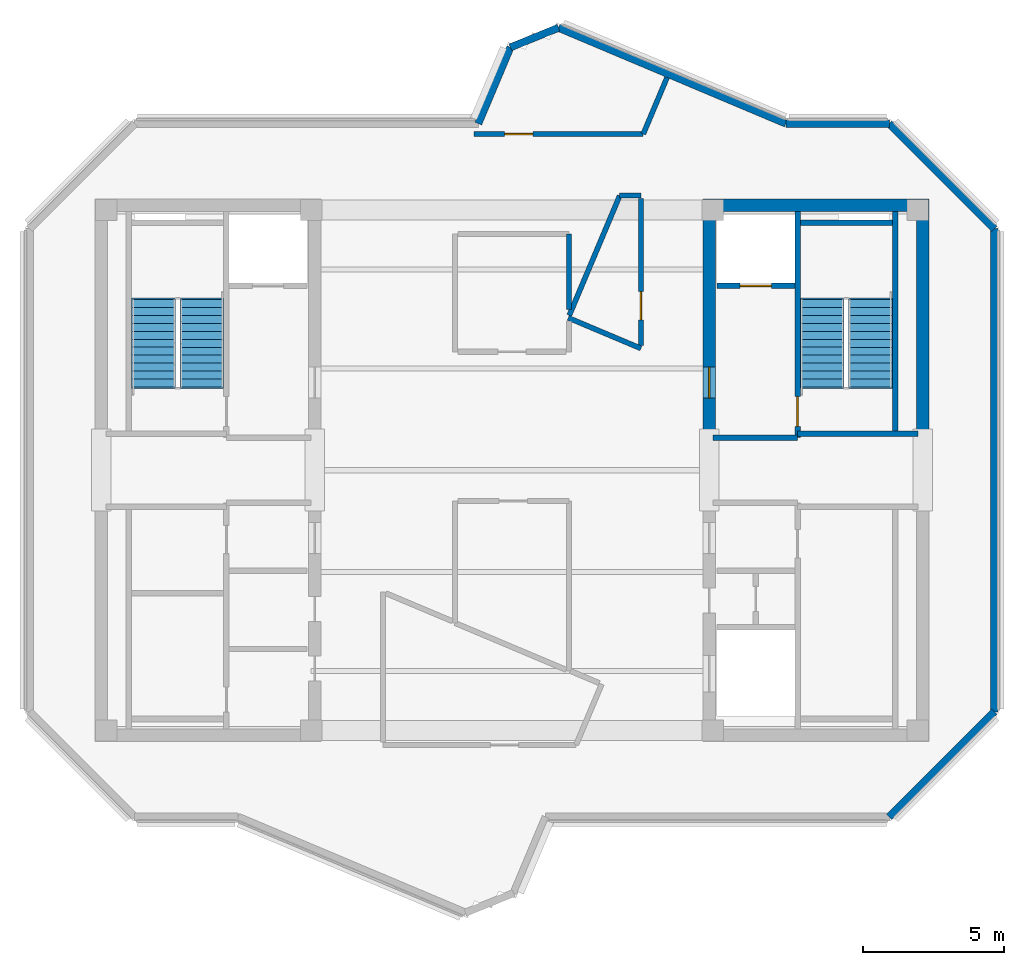
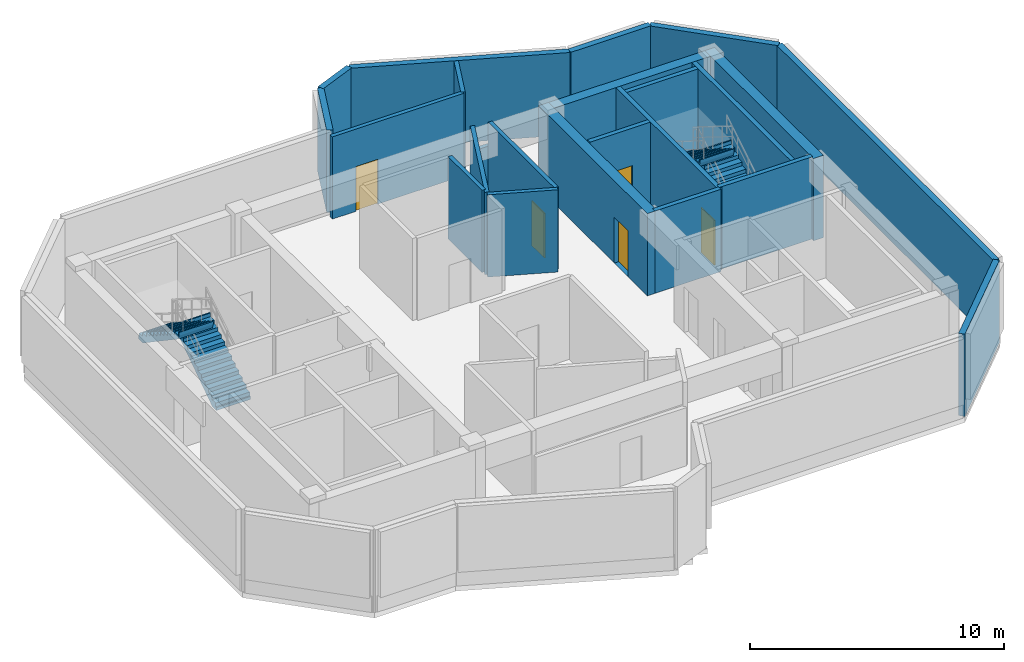
# One storey, part 3 of 5: 23 walls, 5 doors, 4 stair flights, 5 openings, 2 elements without a shape of their own.
"""IFC4 building model written with IfcOpenShell, lengths in metres."""

from ifc_helpers import new_model, si_unit, direction, frame, frame_2d, origin, place, context, subcontext, project, spatial, polyline, rectangle, outline, extrude, source, transform, mapped, material, layer, layer_set, type_object, element, fill, aggregate, save


model = new_model("IFC4")

# Units and contexts
model_context = context("Model", 3, precision=1e-05, world=origin(), true_north=direction((0.0, 1.0)))
body_context = subcontext(model_context, "Body", "Model", "MODEL_VIEW")
ifc_project = project(units=[si_unit("LENGTHUNIT", "METRE"), si_unit("AREAUNIT", "SQUARE_METRE"), si_unit("VOLUMEUNIT", "CUBIC_METRE"), si_unit("PLANEANGLEUNIT", "RADIAN"), si_unit("MASSUNIT", "GRAM", prefix="KILO")], contexts=[model_context])

# Site, building, storey
site_placement = place(None, origin())
site = spatial("IfcSite", under=ifc_project, at=site_placement, CompositionType="ELEMENT")
building_placement = place(site_placement, origin())
building = spatial("IfcBuilding", under=site, at=building_placement, Name="Zahravan Cultural Tower", CompositionType="ELEMENT")
storey_placement = place(building_placement, frame((0.0, 0.0, 379.64990234375)))
storey = spatial("IfcBuildingStorey", under=building, at=storey_placement, Name="L92", CompositionType="ELEMENT", Elevation=379.64990234375)

# Wall, opening, door
ifc_material_1 = material(Name="Concrete C50/60", Category="concrete")
ifc_layer_1 = layer(ifc_material_1, 0.449951171875)
ifc_layer_set_1 = layer_set([ifc_layer_1], Name="Concrete C50/60")
wall_type_1 = type_object("IfcWallType", Name="CW-SHEAR-450-C50", PredefinedType="SHEAR", material=ifc_layer_set_1)
wall_1_placement = place(storey_placement, frame((42.97509765625, 28.050048828125, 0.0), z_axis=(0.0, 0.0, 1.0), x_axis=(0.0, 1.0, 0.0)))
wall_1 = element("IfcWall", 1, at=wall_1_placement, inside=storey, type_object=wall_type_1, Name="L92 Core Shear Wall CW-E-WN-L92", PredefinedType="SHEAR", context=body_context, shape_type="SweptSolid", body=[
    extrude(rectangle(XDim=8.550048828125, YDim=0.449951171875, at=frame_2d((4.27490234375, 0.0))), origin(), (0.0, 0.0, 1.0), 3.9501953125),
])
opening_1_placement = place(wall_1_placement, frame((1.5, 0.0, 0.0)))
opening_1 = element("IfcOpeningElement", 2, at=opening_1_placement, cuts=wall_1, Name="Opening D-L92-07", PredefinedType="OPENING", context=body_context, shape_type="SweptSolid", body=[
    extrude(rectangle(XDim=1.10009765625, YDim=2.199951171875, at=frame_2d((0.550048828125, 1.10009765625))), frame((0.0, 0.23486328125, 0.0), z_axis=(0.0, -1.0, 0.0), x_axis=(1.0, 0.0, 0.0)), (0.0, 0.0, 1.0), 0.469970703125),
])
ifc_material_2 = material(Name="Steel ASTM A572 Grade 50", Category="steel")
door_type_1 = type_object("IfcDoorType", Name="DR-LOBBY-1100", OperationType="NOTDEFINED", PredefinedType="DOOR", material=ifc_material_2)
shared_shape_1 = source(origin(), body_context, "Body", "SweptSolid", [
    extrude(rectangle(XDim=1.10009765625, YDim=2.199951171875, at=frame_2d((0.550048828125, 1.10009765625))), frame((0.0, 0.02490234375, 0.0), z_axis=(0.0, -1.0, 0.0), x_axis=(1.0, 0.0, 0.0)), (0.0, 0.0, 1.0), 0.050048828125),
])
door_1_placement = place(opening_1_placement, origin())
door_1 = element("IfcDoor", 3, at=door_1_placement, inside=storey, type_object=door_type_1, Name="L92 Door D-L92-07", OperationType="SINGLE_SWING_LEFT", OverallHeight=2.199951171875, OverallWidth=1.10009765625, PredefinedType="DOOR", context=body_context, shape_type="MappedRepresentation", body=[
    mapped(shared_shape_1, transform((0.0, 0.0, 0.0), x_axis=(1.0, 0.0, 0.0), y_axis=(0.0, 1.0, 0.0), z_axis=(0.0, 0.0, 1.0), scale=1.0)),
])
fill(opening_1, door_1)

ifc_material_3 = material(Name="Gypsum plasterboard partition")
ifc_layer_2 = layer(ifc_material_3, 0.179931640625)
ifc_layer_set_2 = layer_set([ifc_layer_2], Name="Gypsum plasterboard partition")
wall_type_2 = type_object("IfcWallType", Name="W-COMP-180", PredefinedType="PARTITIONING", material=ifc_layer_set_2)
wall_2_placement = place(storey_placement, frame((40.56005859375, 36.614990234375, 0.0), z_axis=(0.0, 0.0, 1.0), x_axis=(0.0, -1.0, 0.0)))
wall_2 = element("IfcWall", 4, at=wall_2_placement, inside=storey, type_object=wall_type_2, Name="L92 Interior Wall 032", PredefinedType="PARTITIONING", context=body_context, shape_type="SweptSolid", body=[
    extrude(rectangle(XDim=5.20458984375, YDim=0.179931640625, at=frame_2d((2.602294921875, 0.0))), origin(), (0.0, 0.0, 1.0), 3.9501953125),
])
opening_2_placement = place(wall_2_placement, frame((3.293701171875, 0.0, 0.0)))
opening_2 = element("IfcOpeningElement", 5, at=opening_2_placement, cuts=wall_2, Name="Opening D-L92-15", PredefinedType="OPENING", context=body_context, shape_type="SweptSolid", body=[
    extrude(rectangle(XDim=1.0, YDim=2.14990234375, at=frame_2d((0.5, 1.074951171875))), frame((0.0, 0.099853515625, 0.0), z_axis=(0.0, -1.0, 0.0), x_axis=(1.0, 0.0, 0.0)), (0.0, 0.0, 1.0), 0.199951171875),
])
door_type_2 = type_object("IfcDoorType", Name="DR-COMP-1000", OperationType="NOTDEFINED", PredefinedType="DOOR", material=ifc_material_2)
shared_shape_2 = source(origin(), body_context, "Body", "SweptSolid", [
    extrude(rectangle(XDim=1.0, YDim=2.14990234375, at=frame_2d((0.5, 1.074951171875))), frame((0.0, 0.02490234375, 0.0), z_axis=(0.0, -1.0, 0.0), x_axis=(1.0, 0.0, 0.0)), (0.0, 0.0, 1.0), 0.050048828125),
])
door_2_placement = place(opening_2_placement, origin())
door_2 = element("IfcDoor", 6, at=door_2_placement, inside=storey, type_object=door_type_2, Name="L92 Door D-L92-15", OperationType="SINGLE_SWING_LEFT", OverallHeight=2.14990234375, OverallWidth=1.0, PredefinedType="DOOR", context=body_context, shape_type="MappedRepresentation", body=[
    mapped(shared_shape_2, transform((0.0, 0.0, 0.0), x_axis=(1.0, 0.0, 0.0), y_axis=(0.0, 1.0, 0.0), z_axis=(0.0, 0.0, 1.0), scale=1.0)),
])
fill(opening_2, door_2)

wall_3_placement = place(storey_placement, frame((40.641357421875, 38.889892578125, 0.0), z_axis=(0.0, 0.0, 1.0), x_axis=(-1.0, 0.0, 0.0)))
wall_3 = element("IfcWall", 7, at=wall_3_placement, inside=storey, type_object=wall_type_2, Name="L92 Interior Wall 039", PredefinedType="PARTITIONING", context=body_context, shape_type="SweptSolid", body=[
    extrude(rectangle(XDim=5.989990234375, YDim=0.179931640625, at=frame_2d((2.9951171875, 0.0))), origin(), (0.0, 0.0, 1.0), 3.9501953125),
])
opening_3_placement = place(wall_3_placement, frame((3.90625, 0.0, 0.0)))
opening_3 = element("IfcOpeningElement", 8, at=opening_3_placement, cuts=wall_3, Name="Opening D-L92-16", PredefinedType="OPENING", context=body_context, shape_type="SweptSolid", body=[
    extrude(rectangle(XDim=1.0, YDim=2.14990234375, at=frame_2d((0.5, 1.074951171875))), frame((0.0, 0.099853515625, 0.0), z_axis=(0.0, -1.0, 0.0), x_axis=(1.0, 0.0, 0.0)), (0.0, 0.0, 1.0), 0.199951171875),
])
door_3_placement = place(opening_3_placement, origin())
door_3 = element("IfcDoor", 9, at=door_3_placement, inside=storey, type_object=door_type_2, Name="L92 Door D-L92-16", OperationType="SINGLE_SWING_RIGHT", OverallHeight=2.14990234375, OverallWidth=1.0, PredefinedType="DOOR", context=body_context, shape_type="MappedRepresentation", body=[
    mapped(shared_shape_2, transform((0.0, 0.0, 0.0), x_axis=(1.0, 0.0, 0.0), y_axis=(0.0, 1.0, 0.0), z_axis=(0.0, 0.0, 1.0), scale=1.0)),
])
fill(opening_3, door_3)

ifc_material_4 = material(Name="Concrete C45/55", Category="concrete")
ifc_layer_3 = layer(ifc_material_4, 0.199951171875)
ifc_layer_set_3 = layer_set([ifc_layer_3], Name="Concrete C45/55")
wall_type_3 = type_object("IfcWallType", Name="W-SHAFT-200", PredefinedType="SOLIDWALL", material=ifc_layer_set_3)
wall_4_placement = place(storey_placement, frame((46.10009765625, 28.14990234375, 0.0), z_axis=(0.0, 0.0, 1.0), x_axis=(0.0, 1.0, 0.0)))
wall_4 = element("IfcWall", 10, at=wall_4_placement, inside=storey, type_object=wall_type_3, Name="L92 Interior Wall 008", PredefinedType="SOLIDWALL", context=body_context, shape_type="SweptSolid", body=[
    extrude(rectangle(XDim=8.0, YDim=0.199951171875, at=frame_2d((4.0, 0.0))), origin(), (0.0, 0.0, 1.0), 3.9501953125),
])
opening_4_placement = place(wall_4_placement, frame((0.39990234375, 0.0, 0.0)))
opening_4 = element("IfcOpeningElement", 11, at=opening_4_placement, cuts=wall_4, Name="Opening D-L92-02", PredefinedType="OPENING", context=body_context, shape_type="SweptSolid", body=[
    extrude(rectangle(XDim=1.050048828125, YDim=2.14990234375, at=frame_2d((0.52490234375, 1.074951171875))), frame((0.0, 0.10986328125, 0.0), z_axis=(0.0, -1.0, 0.0), x_axis=(1.0, 0.0, 0.0)), (0.0, 0.0, 1.0), 0.219970703125),
])
door_type_3 = type_object("IfcDoorType", Name="DR-STAIR-1050", OperationType="NOTDEFINED", PredefinedType="DOOR", material=ifc_material_2)
shared_shape_3 = source(origin(), body_context, "Body", "SweptSolid", [
    extrude(rectangle(XDim=1.050048828125, YDim=2.14990234375, at=frame_2d((0.52490234375, 1.074951171875))), frame((0.0, 0.02490234375, 0.0), z_axis=(0.0, -1.0, 0.0), x_axis=(1.0, 0.0, 0.0)), (0.0, 0.0, 1.0), 0.050048828125),
])
door_4_placement = place(opening_4_placement, origin())
door_4 = element("IfcDoor", 12, at=door_4_placement, inside=storey, type_object=door_type_3, Name="L92 Door D-L92-02", OperationType="SINGLE_SWING_RIGHT", OverallHeight=2.14990234375, OverallWidth=1.050048828125, PredefinedType="DOOR", context=body_context, shape_type="MappedRepresentation", body=[
    mapped(shared_shape_3, transform((0.0, 0.0, 0.0), x_axis=(1.0, 0.0, 0.0), y_axis=(0.0, 1.0, 0.0), z_axis=(0.0, 0.0, 1.0), scale=1.0)),
])
fill(opening_4, door_4)

wall_5_placement = place(storey_placement, frame((43.25, 33.52001953125, 0.0), z_axis=(0.0, 0.0, 1.0), x_axis=(1.0, 0.0, 0.0)))
wall_5 = element("IfcWall", 13, at=wall_5_placement, inside=storey, type_object=wall_type_3, Name="L92 Interior Wall 023", PredefinedType="SOLIDWALL", context=body_context, shape_type="SweptSolid", body=[
    extrude(rectangle(XDim=2.75, YDim=0.199951171875, at=frame_2d((1.375, 0.0))), origin(), (0.0, 0.0, 1.0), 3.9501953125),
])
opening_5_placement = place(wall_5_placement, frame((0.820068359375, 0.0, 0.0)))
opening_5 = element("IfcOpeningElement", 14, at=opening_5_placement, cuts=wall_5, Name="Opening LD-L92-02", PredefinedType="OPENING", context=body_context, shape_type="SweptSolid", body=[
    extrude(rectangle(XDim=1.10009765625, YDim=2.14990234375, at=frame_2d((0.550048828125, 1.074951171875))), frame((0.0, 0.10986328125, 0.0), z_axis=(0.0, -1.0, 0.0), x_axis=(1.0, 0.0, 0.0)), (0.0, 0.0, 1.0), 0.219970703125),
])
door_type_4 = type_object("IfcDoorType", Name="DR-LIFT-1100", OperationType="DOUBLE_DOOR_SLIDING", PredefinedType="DOOR", material=ifc_material_2)
shared_shape_4 = source(origin(), body_context, "Body", "SweptSolid", [
    extrude(rectangle(XDim=1.10009765625, YDim=2.14990234375, at=frame_2d((0.550048828125, 1.074951171875))), frame((0.0, 0.02490234375, 0.0), z_axis=(0.0, -1.0, 0.0), x_axis=(1.0, 0.0, 0.0)), (0.0, 0.0, 1.0), 0.050048828125),
])
door_5_placement = place(opening_5_placement, origin())
door_5 = element("IfcDoor", 15, at=door_5_placement, inside=storey, type_object=door_type_4, Name="L92 Door LD-L92-02", OperationType="DOUBLE_DOOR_SLIDING", OverallHeight=2.14990234375, OverallWidth=1.10009765625, PredefinedType="DOOR", context=body_context, shape_type="MappedRepresentation", body=[
    mapped(shared_shape_4, transform((0.0, 0.0, 0.0), x_axis=(1.0, 0.0, 0.0), y_axis=(0.0, 1.0, 0.0), z_axis=(0.0, 0.0, 1.0), scale=1.0)),
])
fill(opening_5, door_5)

# Walls
shared_shape_5 = source(origin(), body_context, "Body", "SweptSolid", [
    extrude(rectangle(XDim=8.550048828125, YDim=0.449951171875, at=frame_2d((4.27490234375, 0.0))), origin(), (0.0, 0.0, 1.0), 3.9501953125),
])
wall_6_placement = place(storey_placement, frame((50.52490234375, 28.050048828125, 0.0), z_axis=(0.0, 0.0, 1.0), x_axis=(0.0, 1.0, 0.0)))
element("IfcWall", 16, at=wall_6_placement, inside=storey, type_object=wall_type_1, Name="L92 Core Shear Wall CW-E-EN-L92", PredefinedType="SHEAR", context=body_context, shape_type="MappedRepresentation", body=[
    mapped(shared_shape_5, transform((0.0, 0.0, 0.0), x_axis=(1.0, 0.0, 0.0), y_axis=(0.0, 1.0, 0.0), z_axis=(0.0, 0.0, 1.0), scale=1.0)),
])
shared_shape_6 = source(origin(), body_context, "Body", "SweptSolid", [
    extrude(rectangle(XDim=7.10009765625, YDim=0.449951171875, at=frame_2d((3.550048828125, 0.0))), origin(), (0.0, 0.0, 1.0), 3.9501953125),
])
wall_7_placement = place(storey_placement, frame((43.199951171875, 36.375, 0.0), z_axis=(0.0, 0.0, 1.0), x_axis=(1.0, 0.0, 0.0)))
element("IfcWall", 17, at=wall_7_placement, inside=storey, type_object=wall_type_1, Name="L92 Core Shear Wall CW-E-N-L92", PredefinedType="SHEAR", context=body_context, shape_type="MappedRepresentation", body=[
    mapped(shared_shape_6, transform((0.0, 0.0, 0.0), x_axis=(1.0, 0.0, 0.0), y_axis=(0.0, 1.0, 0.0), z_axis=(0.0, 0.0, 1.0), scale=1.0)),
])
ifc_material_5 = material(Name="Precast concrete C40/50", Category="concrete")
ifc_layer_4 = layer(ifc_material_5, 0.260009765625)
ifc_layer_set_4 = layer_set([ifc_layer_4], Name="Precast concrete C40/50")
wall_type_4 = type_object("IfcWallType", Name="EW-CROWN-260", PredefinedType="SOLIDWALL", material=ifc_layer_set_4)
shared_shape_7 = source(origin(), body_context, "Body", "SweptSolid", [
    extrude(rectangle(XDim=2.92529296875, YDim=0.260009765625, at=frame_2d((1.462646484375, 0.0))), origin(), (0.0, 0.0, 1.0), 3.9501953125),
])
wall_8_placement = place(storey_placement, frame((34.80712890625, 39.260009765625, 0.0), z_axis=(0.0, 0.0, 1.0), x_axis=(0.388321883953, 0.921523800259, 0.0)))
element("IfcWall", 18, at=wall_8_placement, inside=storey, type_object=wall_type_4, Name="L92 Exterior Masonry Frame Wall 01", PredefinedType="SOLIDWALL", context=body_context, shape_type="MappedRepresentation", body=[
    mapped(shared_shape_7, transform((0.0, 0.0, 0.0), x_axis=(1.0, 0.0, 0.0), y_axis=(0.0, 1.0, 0.0), z_axis=(0.0, 0.0, 1.0), scale=1.0)),
])
shared_shape_8 = source(origin(), body_context, "Body", "SweptSolid", [
    extrude(rectangle(XDim=1.838623046875, YDim=0.260009765625, at=frame_2d((0.91943359375, 0.0))), origin(), (0.0, 0.0, 1.0), 3.9501953125),
])
wall_9_placement = place(storey_placement, frame((35.943115234375, 41.955810546875, 0.0), z_axis=(0.0, 0.0, 1.0), x_axis=(0.926216039781, 0.376993166586, 0.0)))
element("IfcWall", 19, at=wall_9_placement, inside=storey, type_object=wall_type_4, Name="L92 Exterior Masonry Frame Wall 02", PredefinedType="SOLIDWALL", context=body_context, shape_type="MappedRepresentation", body=[
    mapped(shared_shape_8, transform((0.0, 0.0, 0.0), x_axis=(1.0, 0.0, 0.0), y_axis=(0.0, 1.0, 0.0), z_axis=(0.0, 0.0, 1.0), scale=1.0)),
])
shared_shape_9 = source(origin(), body_context, "Body", "SweptSolid", [
    extrude(rectangle(XDim=8.72705078125, YDim=0.260009765625, at=frame_2d((4.363525390625, 0.0))), origin(), (0.0, 0.0, 1.0), 3.9501953125),
])
wall_10_placement = place(storey_placement, frame((37.64599609375, 42.64892578125, 0.0), z_axis=(0.0, 0.0, 1.0), x_axis=(0.921524227272, -0.38832087061, 0.0)))
element("IfcWall", 20, at=wall_10_placement, inside=storey, type_object=wall_type_4, Name="L92 Exterior Masonry Frame Wall 03", PredefinedType="SOLIDWALL", context=body_context, shape_type="MappedRepresentation", body=[
    mapped(shared_shape_9, transform((0.0, 0.0, 0.0), x_axis=(1.0, 0.0, 0.0), y_axis=(0.0, 1.0, 0.0), z_axis=(0.0, 0.0, 1.0), scale=1.0)),
])
shared_shape_10 = source(origin(), body_context, "Body", "SweptSolid", [
    extrude(rectangle(XDim=3.65380859375, YDim=0.260009765625, at=frame_2d((1.826904296875, 0.0))), origin(), (0.0, 0.0, 1.0), 3.9501953125),
])
wall_11_placement = place(storey_placement, frame((45.688232421875, 39.260009765625, 0.0), z_axis=(0.0, 0.0, 1.0), x_axis=(1.0, 0.0, 0.0)))
element("IfcWall", 21, at=wall_11_placement, inside=storey, type_object=wall_type_4, Name="L92 Exterior Masonry Frame Wall 04", PredefinedType="SOLIDWALL", context=body_context, shape_type="MappedRepresentation", body=[
    mapped(shared_shape_10, transform((0.0, 0.0, 0.0), x_axis=(1.0, 0.0, 0.0), y_axis=(0.0, 1.0, 0.0), z_axis=(0.0, 0.0, 1.0), scale=1.0)),
])
shared_shape_11 = source(origin(), body_context, "Body", "SweptSolid", [
    extrude(rectangle(XDim=5.258056640625, YDim=0.260009765625, at=frame_2d((2.62890625, 0.0))), origin(), (0.0, 0.0, 1.0), 3.9501953125),
])
for number, where, z_axis, x_axis, name in (
    (22, (49.342041015625, 39.260009765625, 0.0), (0.0, 0.0, 1.0), (0.707106781187, -0.707106781187, 0.0), "L92 Exterior Masonry Frame Wall 05"),
    (23, (53.06005859375, 18.4580078125, 0.0), (0.0, 0.0, 1.0), (-0.707106781187, -0.707106781187, 0.0), "L92 Exterior Masonry Frame Wall 07"),
):
    element("IfcWall", number, at=place(storey_placement, frame(where, z_axis=z_axis, x_axis=x_axis)), inside=storey, type_object=wall_type_4, Name=name, PredefinedType="SOLIDWALL", context=body_context, shape_type="MappedRepresentation", body=[
        mapped(shared_shape_11, transform((0.0, 0.0, 0.0), x_axis=(1.0, 0.0, 0.0), y_axis=(0.0, 1.0, 0.0), z_axis=(0.0, 0.0, 1.0), scale=1.0)),
    ])
shared_shape_12 = source(origin(), body_context, "Body", "SweptSolid", [
    extrude(rectangle(XDim=17.083984375, YDim=0.260009765625, at=frame_2d((8.5419921875, 0.0))), origin(), (0.0, 0.0, 1.0), 3.9501953125),
])
wall_12_placement = place(storey_placement, frame((53.06005859375, 35.5419921875, 0.0), z_axis=(0.0, 0.0, 1.0), x_axis=(0.0, -1.0, 0.0)))
element("IfcWall", 24, at=wall_12_placement, inside=storey, type_object=wall_type_4, Name="L92 Exterior Masonry Frame Wall 06", PredefinedType="SOLIDWALL", context=body_context, shape_type="MappedRepresentation", body=[
    mapped(shared_shape_12, transform((0.0, 0.0, 0.0), x_axis=(1.0, 0.0, 0.0), y_axis=(0.0, 1.0, 0.0), z_axis=(0.0, 0.0, 1.0), scale=1.0)),
])
shared_shape_13 = source(origin(), body_context, "Body", "SweptSolid", [
    extrude(rectangle(XDim=7.869873046875, YDim=0.199951171875, at=frame_2d((3.93505859375, 0.0))), origin(), (0.0, 0.0, 1.0), 3.9501953125),
])
wall_13_placement = place(storey_placement, frame((49.550048828125, 28.280029296875, 0.0), z_axis=(0.0, 0.0, 1.0), x_axis=(0.0, 1.0, 0.0)))
element("IfcWall", 25, at=wall_13_placement, inside=storey, type_object=wall_type_3, Name="L92 Interior Wall 004", PredefinedType="SOLIDWALL", context=body_context, shape_type="MappedRepresentation", body=[
    mapped(shared_shape_13, transform((0.0, 0.0, 0.0), x_axis=(1.0, 0.0, 0.0), y_axis=(0.0, 1.0, 0.0), z_axis=(0.0, 0.0, 1.0), scale=1.0)),
])
shared_shape_14 = source(origin(), body_context, "Body", "SweptSolid", [
    extrude(rectangle(XDim=4.25, YDim=0.199951171875, at=frame_2d((2.125, 0.0))), origin(), (0.0, 0.0, 1.0), 3.9501953125),
])
wall_14_placement = place(storey_placement, frame((46.10009765625, 28.284912109375, 0.0), z_axis=(0.0, 0.0, 1.0), x_axis=(1.0, 0.0, 0.0)))
element("IfcWall", 26, at=wall_14_placement, inside=storey, type_object=wall_type_3, Name="L92 Interior Wall 016", PredefinedType="SOLIDWALL", context=body_context, shape_type="MappedRepresentation", body=[
    mapped(shared_shape_14, transform((0.0, 0.0, 0.0), x_axis=(1.0, 0.0, 0.0), y_axis=(0.0, 1.0, 0.0), z_axis=(0.0, 0.0, 1.0), scale=1.0)),
])
shared_shape_15 = source(origin(), body_context, "Body", "SweptSolid", [
    extrude(rectangle(XDim=3.0, YDim=0.199951171875, at=frame_2d((1.5, 0.0))), origin(), (0.0, 0.0, 1.0), 3.9501953125),
])
wall_15_placement = place(storey_placement, frame((43.10009765625, 28.14990234375, 0.0), z_axis=(0.0, 0.0, 1.0), x_axis=(1.0, 0.0, 0.0)))
element("IfcWall", 27, at=wall_15_placement, inside=storey, type_object=wall_type_3, Name="L92 Interior Wall 015", PredefinedType="SOLIDWALL", context=body_context, shape_type="MappedRepresentation", body=[
    mapped(shared_shape_15, transform((0.0, 0.0, 0.0), x_axis=(1.0, 0.0, 0.0), y_axis=(0.0, 1.0, 0.0), z_axis=(0.0, 0.0, 1.0), scale=1.0)),
])
shared_shape_16 = source(origin(), body_context, "Body", "SweptSolid", [
    extrude(rectangle(XDim=3.25, YDim=0.199951171875, at=frame_2d((1.625, 0.0))), origin(), (0.0, 0.0, 1.0), 3.9501953125),
])
wall_16_placement = place(storey_placement, frame((46.199951171875, 35.75, 0.0), z_axis=(0.0, 0.0, 1.0), x_axis=(1.0, 0.0, 0.0)))
element("IfcWall", 28, at=wall_16_placement, inside=storey, type_object=wall_type_3, Name="L92 Interior Wall 018", PredefinedType="SOLIDWALL", context=body_context, shape_type="MappedRepresentation", body=[
    mapped(shared_shape_16, transform((0.0, 0.0, 0.0), x_axis=(1.0, 0.0, 0.0), y_axis=(0.0, 1.0, 0.0), z_axis=(0.0, 0.0, 1.0), scale=1.0)),
])
shared_shape_17 = source(origin(), body_context, "Body", "SweptSolid", [
    extrude(rectangle(XDim=2.789306640625, YDim=0.179931640625, at=frame_2d((1.39453125, 0.0))), origin(), (0.0, 0.0, 1.0), 3.9501953125),
])
wall_17_placement = place(storey_placement, frame((40.56005859375, 31.307373046875, 0.0), z_axis=(0.0, 0.0, 1.0), x_axis=(-0.921549681246, 0.388260460253, 0.0)))
element("IfcWall", 29, at=wall_17_placement, inside=storey, type_object=wall_type_2, Name="L92 Interior Wall 029", PredefinedType="PARTITIONING", context=body_context, shape_type="MappedRepresentation", body=[
    mapped(shared_shape_17, transform((0.0, 0.0, 0.0), x_axis=(1.0, 0.0, 0.0), y_axis=(0.0, 1.0, 0.0), z_axis=(0.0, 0.0, 1.0), scale=1.0)),
])
shared_shape_18 = source(origin(), body_context, "Body", "SweptSolid", [
    extrude(rectangle(XDim=4.59228515625, YDim=0.179931640625, at=frame_2d((2.296142578125, 0.0))), origin(), (0.0, 0.0, 1.0), 3.9501953125),
])
wall_18_placement = place(storey_placement, frame((38.0263671875, 32.47802734375, 0.0), z_axis=(0.0, 0.0, 1.0), x_axis=(0.388304163806, 0.92153126717, 0.0)))
element("IfcWall", 30, at=wall_18_placement, inside=storey, type_object=wall_type_2, Name="L92 Interior Wall 030", PredefinedType="PARTITIONING", context=body_context, shape_type="MappedRepresentation", body=[
    mapped(shared_shape_18, transform((0.0, 0.0, 0.0), x_axis=(1.0, 0.0, 0.0), y_axis=(0.0, 1.0, 0.0), z_axis=(0.0, 0.0, 1.0), scale=1.0)),
])
shared_shape_19 = source(origin(), body_context, "Body", "SweptSolid", [
    extrude(rectangle(XDim=0.75048828125, YDim=0.179931640625, at=frame_2d((0.375244140625, 0.0))), origin(), (0.0, 0.0, 1.0), 2.7919921875),
])
wall_19_placement = place(storey_placement, frame((39.8095703125, 36.7099609375, 0.0), z_axis=(0.0, 0.0, 1.0), x_axis=(1.0, 0.0, 0.0)))
element("IfcWall", 31, at=wall_19_placement, inside=storey, type_object=wall_type_2, Name="L92 Interior Wall 031", PredefinedType="PARTITIONING", context=body_context, shape_type="MappedRepresentation", body=[
    mapped(shared_shape_19, transform((0.0, 0.0, 0.0), x_axis=(1.0, 0.0, 0.0), y_axis=(0.0, 1.0, 0.0), z_axis=(0.0, 0.0, 1.0), scale=1.0)),
])
shared_shape_20 = source(origin(), body_context, "Body", "SweptSolid", [
    extrude(rectangle(XDim=2.676025390625, YDim=0.179931640625, at=frame_2d((1.337890625, 0.0))), origin(), (0.0, 0.0, 1.0), 3.9501953125),
])
wall_20_placement = place(storey_placement, frame((38.010009765625, 35.360107421875, 0.0), z_axis=(0.0, 0.0, 1.0), x_axis=(0.0, -1.0, 0.0)))
element("IfcWall", 32, at=wall_20_placement, inside=storey, type_object=wall_type_2, Name="L92 Interior Wall 035", PredefinedType="PARTITIONING", context=body_context, shape_type="MappedRepresentation", body=[
    mapped(shared_shape_20, transform((0.0, 0.0, 0.0), x_axis=(1.0, 0.0, 0.0), y_axis=(0.0, 1.0, 0.0), z_axis=(0.0, 0.0, 1.0), scale=1.0)),
])
shared_shape_21 = source(origin(), body_context, "Body", "SweptSolid", [
    extrude(rectangle(XDim=2.165771484375, YDim=0.179931640625, at=frame_2d((1.0830078125, 0.0))), origin(), (0.0, 0.0, 1.0), 3.9501953125),
])
wall_21_placement = place(storey_placement, frame((41.482421875, 40.8857421875, 0.0), z_axis=(0.0, 0.0, 1.0), x_axis=(-0.388334150913, -0.921518630976, 0.0)))
element("IfcWall", 33, at=wall_21_placement, inside=storey, type_object=wall_type_2, Name="L92 Interior Wall 038", PredefinedType="PARTITIONING", context=body_context, shape_type="MappedRepresentation", body=[
    mapped(shared_shape_21, transform((0.0, 0.0, 0.0), x_axis=(1.0, 0.0, 0.0), y_axis=(0.0, 1.0, 0.0), z_axis=(0.0, 0.0, 1.0), scale=1.0)),
])

# Stair, stair flights
stair_type = type_object("IfcStairType", Name="STR-DL-1550-420", PredefinedType="HALF_TURN_STAIR", material=ifc_material_4)
stair_1_placement = place(storey_placement, origin())
stair_1 = element("IfcStair", 34, at=stair_1_placement, inside=storey, type_object=stair_type, Name="L92 West Core North Exit Stair ST-W1", PredefinedType="HALF_TURN_STAIR")
stair_flight_type = type_object("IfcStairFlightType", Name="FLG-DL-1550-420", PredefinedType="STRAIGHT", material=ifc_material_4)
stair_flight_1_placement = place(storey_placement, frame((25.02490234375, 29.949951171875, 0.0), z_axis=(0.0, 0.0, 1.0), x_axis=(0.0, 1.0, 0.0)))
stair_flight_1 = element("IfcStairFlight", 35, at=stair_flight_1_placement, type_object=stair_flight_type, Name="ST-W1 flight 1", NumberOfRisers=12, NumberOfTreads=11, PredefinedType="STRAIGHT", RiserHeight=0.175, TreadLength=0.28, context=body_context, shape_type="SweptSolid", body=[
    extrude(outline(polyline([(-0.06494140625, -0.139892578125), (-0.06494140625, 0.0), (0.0, 0.0), (0.0, 0.175048828125), (0.280029296875, 0.175048828125), (0.280029296875, 0.35009765625), (0.56005859375, 0.35009765625), (0.56005859375, 0.52490234375), (0.840087890625, 0.52490234375), (0.840087890625, 0.699951171875), (1.1201171875, 0.699951171875), (1.1201171875, 0.875), (1.39990234375, 0.875), (1.39990234375, 1.050048828125), (1.679931640625, 1.050048828125), (1.679931640625, 1.22509765625), (1.9599609375, 1.22509765625), (1.9599609375, 1.39990234375), (2.239990234375, 1.39990234375), (2.239990234375, 1.574951171875), (2.52001953125, 1.574951171875), (2.52001953125, 1.75), (2.800048828125, 1.75), (2.800048828125, 1.925048828125), (3.080078125, 1.925048828125), (3.080078125, 2.10009765625), (3.14501953125, 2.10009765625), (3.14501953125, 1.9501953125), (3.080078125, 1.748291015625), (0.28271484375, -0.139892578125), (-0.06494140625, -0.139892578125)])), frame((0.0, 0.77490234375, 0.0), z_axis=(0.0, -1.0, 0.0), x_axis=(1.0, 0.0, 0.0)), (0.0, 0.0, 1.0), 1.550048828125),
])
stair_flight_2_placement = place(storey_placement, frame((23.324951171875, 33.030029296875, 2.10009765625), z_axis=(0.0, 0.0, 1.0), x_axis=(0.0, -1.0, 0.0)))
stair_flight_2 = element("IfcStairFlight", 36, at=stair_flight_2_placement, type_object=stair_flight_type, Name="ST-W1 flight 2", NumberOfRisers=12, NumberOfTreads=11, PredefinedType="STRAIGHT", RiserHeight=0.175, TreadLength=0.28, context=body_context, shape_type="SweptSolid", body=[
    extrude(outline(polyline([(-0.06494140625, -0.139892578125), (-0.06494140625, 0.0), (0.0, 0.0), (0.0, 0.175048828125), (0.280029296875, 0.175048828125), (0.280029296875, 0.35009765625), (0.56005859375, 0.35009765625), (0.56005859375, 0.52490234375), (0.840087890625, 0.52490234375), (0.840087890625, 0.699951171875), (1.1201171875, 0.699951171875), (1.1201171875, 0.875), (1.39990234375, 0.875), (1.39990234375, 1.050048828125), (1.679931640625, 1.050048828125), (1.679931640625, 1.22509765625), (1.9599609375, 1.22509765625), (1.9599609375, 1.39990234375), (2.239990234375, 1.39990234375), (2.239990234375, 1.574951171875), (2.52001953125, 1.574951171875), (2.52001953125, 1.75), (2.800048828125, 1.75), (2.800048828125, 1.925048828125), (3.080078125, 1.925048828125), (3.080078125, 2.10009765625), (3.14501953125, 2.10009765625), (3.14501953125, 1.9501953125), (3.080078125, 1.748291015625), (0.28271484375, -0.139892578125), (-0.06494140625, -0.139892578125)])), frame((0.0, 0.77490234375, 0.0), z_axis=(0.0, -1.0, 0.0), x_axis=(1.0, 0.0, 0.0)), (0.0, 0.0, 1.0), 1.550048828125),
])
aggregate(stair_1, [stair_flight_1, stair_flight_2])

stair_2_placement = place(storey_placement, origin())
stair_2 = element("IfcStair", 37, at=stair_2_placement, inside=storey, type_object=stair_type, Name="L92 East Core North Exit Stair ST-E1", PredefinedType="HALF_TURN_STAIR")
stair_flight_3_placement = place(storey_placement, frame((48.675048828125, 29.949951171875, 0.0), z_axis=(0.0, 0.0, 1.0), x_axis=(0.0, 1.0, 0.0)))
stair_flight_3 = element("IfcStairFlight", 38, at=stair_flight_3_placement, type_object=stair_flight_type, Name="ST-E1 flight 1", NumberOfRisers=12, NumberOfTreads=11, PredefinedType="STRAIGHT", RiserHeight=0.175, TreadLength=0.28, context=body_context, shape_type="SweptSolid", body=[
    extrude(outline(polyline([(-0.06494140625, -0.139892578125), (-0.06494140625, 0.0), (0.0, 0.0), (0.0, 0.175048828125), (0.280029296875, 0.175048828125), (0.280029296875, 0.35009765625), (0.56005859375, 0.35009765625), (0.56005859375, 0.52490234375), (0.840087890625, 0.52490234375), (0.840087890625, 0.699951171875), (1.1201171875, 0.699951171875), (1.1201171875, 0.875), (1.39990234375, 0.875), (1.39990234375, 1.050048828125), (1.679931640625, 1.050048828125), (1.679931640625, 1.22509765625), (1.9599609375, 1.22509765625), (1.9599609375, 1.39990234375), (2.239990234375, 1.39990234375), (2.239990234375, 1.574951171875), (2.52001953125, 1.574951171875), (2.52001953125, 1.75), (2.800048828125, 1.75), (2.800048828125, 1.925048828125), (3.080078125, 1.925048828125), (3.080078125, 2.10009765625), (3.14501953125, 2.10009765625), (3.14501953125, 1.9501953125), (3.080078125, 1.748291015625), (0.28271484375, -0.139892578125), (-0.06494140625, -0.139892578125)])), frame((0.0, 0.77490234375, 0.0), z_axis=(0.0, -1.0, 0.0), x_axis=(1.0, 0.0, 0.0)), (0.0, 0.0, 1.0), 1.550048828125),
])
stair_flight_4_placement = place(storey_placement, frame((46.97509765625, 33.030029296875, 2.10009765625), z_axis=(0.0, 0.0, 1.0), x_axis=(0.0, -1.0, 0.0)))
stair_flight_4 = element("IfcStairFlight", 39, at=stair_flight_4_placement, type_object=stair_flight_type, Name="ST-E1 flight 2", NumberOfRisers=12, NumberOfTreads=11, PredefinedType="STRAIGHT", RiserHeight=0.175, TreadLength=0.28, context=body_context, shape_type="SweptSolid", body=[
    extrude(outline(polyline([(-0.06494140625, -0.139892578125), (-0.06494140625, 0.0), (0.0, 0.0), (0.0, 0.175048828125), (0.280029296875, 0.175048828125), (0.280029296875, 0.35009765625), (0.56005859375, 0.35009765625), (0.56005859375, 0.52490234375), (0.840087890625, 0.52490234375), (0.840087890625, 0.699951171875), (1.1201171875, 0.699951171875), (1.1201171875, 0.875), (1.39990234375, 0.875), (1.39990234375, 1.050048828125), (1.679931640625, 1.050048828125), (1.679931640625, 1.22509765625), (1.9599609375, 1.22509765625), (1.9599609375, 1.39990234375), (2.239990234375, 1.39990234375), (2.239990234375, 1.574951171875), (2.52001953125, 1.574951171875), (2.52001953125, 1.75), (2.800048828125, 1.75), (2.800048828125, 1.925048828125), (3.080078125, 1.925048828125), (3.080078125, 2.10009765625), (3.14501953125, 2.10009765625), (3.14501953125, 1.9501953125), (3.080078125, 1.748291015625), (0.28271484375, -0.139892578125), (-0.06494140625, -0.139892578125)])), frame((0.0, 0.77490234375, 0.0), z_axis=(0.0, -1.0, 0.0), x_axis=(1.0, 0.0, 0.0)), (0.0, 0.0, 1.0), 1.550048828125),
])
aggregate(stair_2, [stair_flight_3, stair_flight_4])

save(model, "model.ifc")
